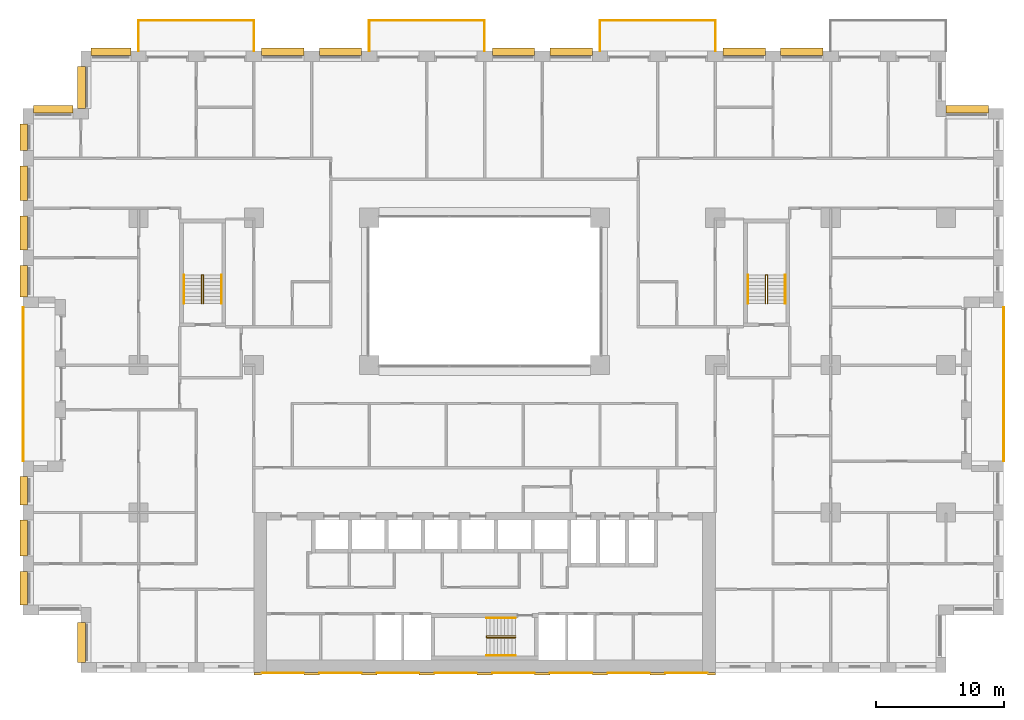
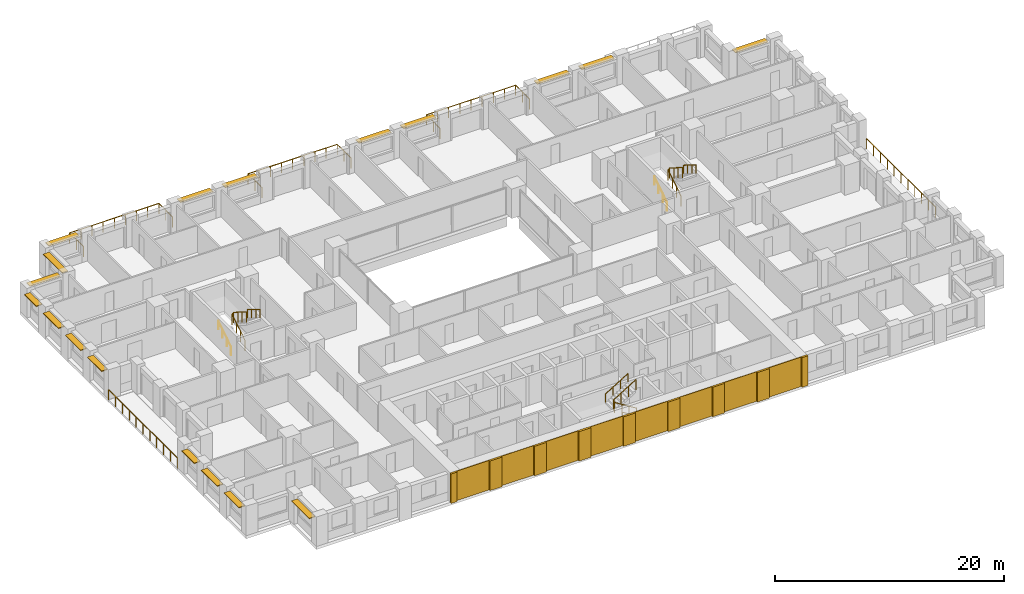
# One storey, part 18 of 19: 18 shading devices, 17 coverings, 14 railings.
"""IFC4 building model written with IfcOpenShell, lengths in metres."""

from ifc_helpers import new_model, si_unit, direction, frame, origin, origin_2d, place, context, subcontext, project, spatial, rectangle, circle, extrude, material, layer, layer_set, type_object, element, save


model = new_model("IFC4")

# Units and contexts
model_context = context("Model", 3, precision=1e-05, world=origin(), true_north=direction((0.0, 1.0)))
body_context = subcontext(model_context, "Body", "Model", "MODEL_VIEW")
ifc_project = project(units=[si_unit("LENGTHUNIT", "METRE"), si_unit("AREAUNIT", "SQUARE_METRE"), si_unit("VOLUMEUNIT", "CUBIC_METRE"), si_unit("PLANEANGLEUNIT", "RADIAN"), si_unit("MASSUNIT", "GRAM", prefix="KILO")], contexts=[model_context])

# Site, building, storey
site_placement = place(None, origin())
site = spatial("IfcSite", under=ifc_project, at=site_placement, CompositionType="ELEMENT")
building_placement = place(site_placement, origin())
building = spatial("IfcBuilding", under=site, at=building_placement, Name="Brigalow Station Residences", CompositionType="ELEMENT")
storey_placement = place(building_placement, frame((0.0, 0.0, 19.5)))
storey = spatial("IfcBuildingStorey", under=building, at=storey_placement, Name="L04", CompositionType="ELEMENT", Elevation=19.5)

# Railings
ifc_material_1 = material(Name="Stainless steel balustrade with laminated glass infill", Category="steel")
railing_type_1 = type_object("IfcRailingType", Name="BALCONY GUARD 1100", PredefinedType="GUARDRAIL", material=ifc_material_1)
railing_1_placement = place(storey_placement, frame((76.5, 16.5, -0.0400390625)))
element("IfcRailing", 1, at=railing_1_placement, inside=storey, type_object=railing_type_1, Name="L04/balcony-guard/1", PredefinedType="GUARDRAIL", context=body_context, shape_type="SweptSolid", body=[
    extrude(circle(Radius=0.02392578125, at=origin_2d()), frame((0.0, 0.0, 1.076171875), z_axis=(0.0, 1.0, 0.0), x_axis=(-1.0, 0.0, 0.0)), (0.0, 0.0, 1.0), 12.0),
    extrude(circle(Radius=0.02099609375, at=origin_2d()), origin(), (0.0, 0.0, 1.0), 1.052001953125),
    extrude(circle(Radius=0.02099609375, at=origin_2d()), frame((0.0, 1.199951171875, 0.0)), (0.0, 0.0, 1.0), 1.052001953125),
    extrude(circle(Radius=0.02099609375, at=origin_2d()), frame((0.0, 2.39990234375, 0.0)), (0.0, 0.0, 1.0), 1.052001953125),
    extrude(circle(Radius=0.02099609375, at=origin_2d()), frame((0.0, 3.60009765625, 0.0)), (0.0, 0.0, 1.0), 1.052001953125),
    extrude(circle(Radius=0.02099609375, at=origin_2d()), frame((0.0, 4.800048828125, 0.0)), (0.0, 0.0, 1.0), 1.052001953125),
    extrude(circle(Radius=0.02099609375, at=origin_2d()), frame((0.0, 6.0, 0.0)), (0.0, 0.0, 1.0), 1.052001953125),
    extrude(circle(Radius=0.02099609375, at=origin_2d()), frame((0.0, 7.199951171875, 0.0)), (0.0, 0.0, 1.0), 1.052001953125),
    extrude(circle(Radius=0.02099609375, at=origin_2d()), frame((0.0, 8.39990234375, 0.0)), (0.0, 0.0, 1.0), 1.052001953125),
    extrude(circle(Radius=0.02099609375, at=origin_2d()), frame((0.0, 9.60009765625, 0.0)), (0.0, 0.0, 1.0), 1.052001953125),
    extrude(circle(Radius=0.02099609375, at=origin_2d()), frame((0.0, 10.800048828125, 0.0)), (0.0, 0.0, 1.0), 1.052001953125),
    extrude(circle(Radius=0.02099609375, at=origin_2d()), frame((0.0, 12.0, 0.0)), (0.0, 0.0, 1.0), 1.052001953125),
])
railing_2_placement = place(storey_placement, frame((54.0, 48.5, -0.0400390625)))
element("IfcRailing", 2, at=railing_2_placement, inside=storey, type_object=railing_type_1, Name="L04/balcony-guard/3", PredefinedType="GUARDRAIL", context=body_context, shape_type="SweptSolid", body=[
    extrude(circle(Radius=0.02392578125, at=origin_2d()), frame((0.0, 0.0, 1.076171875), z_axis=(0.0, 1.0, 0.0), x_axis=(-1.0, 0.0, 0.0)), (0.0, 0.0, 1.0), 2.39990234375),
    extrude(circle(Radius=0.02392578125, at=origin_2d()), frame((0.0, 2.39990234375, 1.076171875), z_axis=(-1.0, 0.0, 0.0), x_axis=(0.0, -1.0, 0.0)), (0.0, 0.0, 1.0), 9.0),
    extrude(circle(Radius=0.02392578125, at=origin_2d()), frame((-9.0, 2.39990234375, 1.076171875), z_axis=(0.0, -1.0, 0.0), x_axis=(1.0, 0.0, 0.0)), (0.0, 0.0, 1.0), 2.39990234375),
    extrude(circle(Radius=0.02099609375, at=origin_2d()), origin(), (0.0, 0.0, 1.0), 1.052001953125),
    extrude(circle(Radius=0.02099609375, at=origin_2d()), frame((0.0, 1.199951171875, 0.0)), (0.0, 0.0, 1.0), 1.052001953125),
    extrude(circle(Radius=0.02099609375, at=origin_2d()), frame((0.0, 2.39990234375, 0.0)), (0.0, 0.0, 1.0), 1.052001953125),
    extrude(circle(Radius=0.02099609375, at=origin_2d()), frame((-1.125, 2.39990234375, 0.0)), (0.0, 0.0, 1.0), 1.052001953125),
    extrude(circle(Radius=0.02099609375, at=origin_2d()), frame((-2.25, 2.39990234375, 0.0)), (0.0, 0.0, 1.0), 1.052001953125),
    extrude(circle(Radius=0.02099609375, at=origin_2d()), frame((-3.375, 2.39990234375, 0.0)), (0.0, 0.0, 1.0), 1.052001953125),
    extrude(circle(Radius=0.02099609375, at=origin_2d()), frame((-4.5, 2.39990234375, 0.0)), (0.0, 0.0, 1.0), 1.052001953125),
    extrude(circle(Radius=0.02099609375, at=origin_2d()), frame((-5.625, 2.39990234375, 0.0)), (0.0, 0.0, 1.0), 1.052001953125),
    extrude(circle(Radius=0.02099609375, at=origin_2d()), frame((-6.75, 2.39990234375, 0.0)), (0.0, 0.0, 1.0), 1.052001953125),
    extrude(circle(Radius=0.02099609375, at=origin_2d()), frame((-7.875, 2.39990234375, 0.0)), (0.0, 0.0, 1.0), 1.052001953125),
    extrude(circle(Radius=0.02099609375, at=origin_2d()), frame((-9.0, 2.39990234375, 0.0)), (0.0, 0.0, 1.0), 1.052001953125),
    extrude(circle(Radius=0.02099609375, at=origin_2d()), frame((-9.0, 1.199951171875, 0.0)), (0.0, 0.0, 1.0), 1.052001953125),
    extrude(circle(Radius=0.02099609375, at=origin_2d()), frame((-9.0, 0.0, 0.0)), (0.0, 0.0, 1.0), 1.052001953125),
])
railing_3_placement = place(storey_placement, frame((36.0, 48.5, -0.0400390625)))
element("IfcRailing", 3, at=railing_3_placement, inside=storey, type_object=railing_type_1, Name="L04/balcony-guard/4", PredefinedType="GUARDRAIL", context=body_context, shape_type="SweptSolid", body=[
    extrude(circle(Radius=0.02392578125, at=origin_2d()), frame((0.0, 0.0, 1.076171875), z_axis=(0.0, 1.0, 0.0), x_axis=(-1.0, 0.0, 0.0)), (0.0, 0.0, 1.0), 2.39990234375),
    extrude(circle(Radius=0.02392578125, at=origin_2d()), frame((0.0, 2.39990234375, 1.076171875), z_axis=(-1.0, 0.0, 0.0), x_axis=(0.0, -1.0, 0.0)), (0.0, 0.0, 1.0), 9.0),
    extrude(circle(Radius=0.02392578125, at=origin_2d()), frame((-9.0, 2.39990234375, 1.076171875), z_axis=(0.0, -1.0, 0.0), x_axis=(1.0, 0.0, 0.0)), (0.0, 0.0, 1.0), 2.39990234375),
    extrude(circle(Radius=0.02099609375, at=origin_2d()), origin(), (0.0, 0.0, 1.0), 1.052001953125),
    extrude(circle(Radius=0.02099609375, at=origin_2d()), frame((0.0, 1.199951171875, 0.0)), (0.0, 0.0, 1.0), 1.052001953125),
    extrude(circle(Radius=0.02099609375, at=origin_2d()), frame((0.0, 2.39990234375, 0.0)), (0.0, 0.0, 1.0), 1.052001953125),
    extrude(circle(Radius=0.02099609375, at=origin_2d()), frame((-1.125, 2.39990234375, 0.0)), (0.0, 0.0, 1.0), 1.052001953125),
    extrude(circle(Radius=0.02099609375, at=origin_2d()), frame((-2.25, 2.39990234375, 0.0)), (0.0, 0.0, 1.0), 1.052001953125),
    extrude(circle(Radius=0.02099609375, at=origin_2d()), frame((-3.375, 2.39990234375, 0.0)), (0.0, 0.0, 1.0), 1.052001953125),
    extrude(circle(Radius=0.02099609375, at=origin_2d()), frame((-4.5, 2.39990234375, 0.0)), (0.0, 0.0, 1.0), 1.052001953125),
    extrude(circle(Radius=0.02099609375, at=origin_2d()), frame((-5.625, 2.39990234375, 0.0)), (0.0, 0.0, 1.0), 1.052001953125),
    extrude(circle(Radius=0.02099609375, at=origin_2d()), frame((-6.75, 2.39990234375, 0.0)), (0.0, 0.0, 1.0), 1.052001953125),
    extrude(circle(Radius=0.02099609375, at=origin_2d()), frame((-7.875, 2.39990234375, 0.0)), (0.0, 0.0, 1.0), 1.052001953125),
    extrude(circle(Radius=0.02099609375, at=origin_2d()), frame((-9.0, 2.39990234375, 0.0)), (0.0, 0.0, 1.0), 1.052001953125),
    extrude(circle(Radius=0.02099609375, at=origin_2d()), frame((-9.0, 1.199951171875, 0.0)), (0.0, 0.0, 1.0), 1.052001953125),
    extrude(circle(Radius=0.02099609375, at=origin_2d()), frame((-9.0, 0.0, 0.0)), (0.0, 0.0, 1.0), 1.052001953125),
])
railing_4_placement = place(storey_placement, frame((18.0, 48.5, -0.0400390625)))
element("IfcRailing", 4, at=railing_4_placement, inside=storey, type_object=railing_type_1, Name="L04/balcony-guard/5", PredefinedType="GUARDRAIL", context=body_context, shape_type="SweptSolid", body=[
    extrude(circle(Radius=0.02392578125, at=origin_2d()), frame((0.0, 0.0, 1.076171875), z_axis=(0.0, 1.0, 0.0), x_axis=(-1.0, 0.0, 0.0)), (0.0, 0.0, 1.0), 2.39990234375),
    extrude(circle(Radius=0.02392578125, at=origin_2d()), frame((0.0, 2.39990234375, 1.076171875), z_axis=(-1.0, 0.0, 0.0), x_axis=(0.0, -1.0, 0.0)), (0.0, 0.0, 1.0), 9.0),
    extrude(circle(Radius=0.02392578125, at=origin_2d()), frame((-9.0, 2.39990234375, 1.076171875), z_axis=(0.0, -1.0, 0.0), x_axis=(1.0, 0.0, 0.0)), (0.0, 0.0, 1.0), 2.39990234375),
    extrude(circle(Radius=0.02099609375, at=origin_2d()), origin(), (0.0, 0.0, 1.0), 1.052001953125),
    extrude(circle(Radius=0.02099609375, at=origin_2d()), frame((0.0, 1.199951171875, 0.0)), (0.0, 0.0, 1.0), 1.052001953125),
    extrude(circle(Radius=0.02099609375, at=origin_2d()), frame((0.0, 2.39990234375, 0.0)), (0.0, 0.0, 1.0), 1.052001953125),
    extrude(circle(Radius=0.02099609375, at=origin_2d()), frame((-1.125, 2.39990234375, 0.0)), (0.0, 0.0, 1.0), 1.052001953125),
    extrude(circle(Radius=0.02099609375, at=origin_2d()), frame((-2.25, 2.39990234375, 0.0)), (0.0, 0.0, 1.0), 1.052001953125),
    extrude(circle(Radius=0.02099609375, at=origin_2d()), frame((-3.375, 2.39990234375, 0.0)), (0.0, 0.0, 1.0), 1.052001953125),
    extrude(circle(Radius=0.02099609375, at=origin_2d()), frame((-4.5, 2.39990234375, 0.0)), (0.0, 0.0, 1.0), 1.052001953125),
    extrude(circle(Radius=0.02099609375, at=origin_2d()), frame((-5.625, 2.39990234375, 0.0)), (0.0, 0.0, 1.0), 1.052001953125),
    extrude(circle(Radius=0.02099609375, at=origin_2d()), frame((-6.75, 2.39990234375, 0.0)), (0.0, 0.0, 1.0), 1.052001953125),
    extrude(circle(Radius=0.02099609375, at=origin_2d()), frame((-7.875, 2.39990234375, 0.0)), (0.0, 0.0, 1.0), 1.052001953125),
    extrude(circle(Radius=0.02099609375, at=origin_2d()), frame((-9.0, 2.39990234375, 0.0)), (0.0, 0.0, 1.0), 1.052001953125),
    extrude(circle(Radius=0.02099609375, at=origin_2d()), frame((-9.0, 1.199951171875, 0.0)), (0.0, 0.0, 1.0), 1.052001953125),
    extrude(circle(Radius=0.02099609375, at=origin_2d()), frame((-9.0, 0.0, 0.0)), (0.0, 0.0, 1.0), 1.052001953125),
])
railing_5_placement = place(storey_placement, frame((0.0, 28.5, -0.0400390625)))
element("IfcRailing", 5, at=railing_5_placement, inside=storey, type_object=railing_type_1, Name="L04/balcony-guard/6", PredefinedType="GUARDRAIL", context=body_context, shape_type="SweptSolid", body=[
    extrude(circle(Radius=0.02392578125, at=origin_2d()), frame((0.0, 0.0, 1.076171875), z_axis=(0.0, -1.0, 0.0), x_axis=(1.0, 0.0, 0.0)), (0.0, 0.0, 1.0), 12.0),
    extrude(circle(Radius=0.02099609375, at=origin_2d()), origin(), (0.0, 0.0, 1.0), 1.052001953125),
    extrude(circle(Radius=0.02099609375, at=origin_2d()), frame((0.0, -1.199951171875, 0.0)), (0.0, 0.0, 1.0), 1.052001953125),
    extrude(circle(Radius=0.02099609375, at=origin_2d()), frame((0.0, -2.39990234375, 0.0)), (0.0, 0.0, 1.0), 1.052001953125),
    extrude(circle(Radius=0.02099609375, at=origin_2d()), frame((0.0, -3.60009765625, 0.0)), (0.0, 0.0, 1.0), 1.052001953125),
    extrude(circle(Radius=0.02099609375, at=origin_2d()), frame((0.0, -4.800048828125, 0.0)), (0.0, 0.0, 1.0), 1.052001953125),
    extrude(circle(Radius=0.02099609375, at=origin_2d()), frame((0.0, -6.0, 0.0)), (0.0, 0.0, 1.0), 1.052001953125),
    extrude(circle(Radius=0.02099609375, at=origin_2d()), frame((0.0, -7.199951171875, 0.0)), (0.0, 0.0, 1.0), 1.052001953125),
    extrude(circle(Radius=0.02099609375, at=origin_2d()), frame((0.0, -8.39990234375, 0.0)), (0.0, 0.0, 1.0), 1.052001953125),
    extrude(circle(Radius=0.02099609375, at=origin_2d()), frame((0.0, -9.60009765625, 0.0)), (0.0, 0.0, 1.0), 1.052001953125),
    extrude(circle(Radius=0.02099609375, at=origin_2d()), frame((0.0, -10.800048828125, 0.0)), (0.0, 0.0, 1.0), 1.052001953125),
    extrude(circle(Radius=0.02099609375, at=origin_2d()), frame((0.0, -12.0, 0.0)), (0.0, 0.0, 1.0), 1.052001953125),
])

# Coverings
ifc_material_2 = material(Name="Clay brick masonry", Category="masonry")
ifc_layer_1 = layer(ifc_material_2, 0.06005859375)
ifc_layer_set_1 = layer_set([ifc_layer_1], Name="BRICK PANEL FACING 60")
covering_type_1 = type_object("IfcCoveringType", Name="BRICK PANEL FACING 60", PredefinedType="CLADDING", material=ifc_layer_set_1)
for number, where, z_axis, x_axis, name in (
    (6, (20.25, -0.030029296875, 0.0), (0.0, 0.0, 1.0), (1.0, 0.0, 0.0), "L04/rear-facing/panel-1"),
    (7, (24.75, -0.030029296875, 0.0), (0.0, 0.0, 1.0), (1.0, 0.0, 0.0), "L04/rear-facing/panel-2"),
    (8, (29.25, -0.030029296875, 0.0), (0.0, 0.0, 1.0), (1.0, 0.0, 0.0), "L04/rear-facing/panel-3"),
    (9, (33.75, -0.030029296875, 0.0), (0.0, 0.0, 1.0), (1.0, 0.0, 0.0), "L04/rear-facing/panel-4"),
    (10, (38.25, -0.030029296875, 0.0), (0.0, 0.0, 1.0), (1.0, 0.0, 0.0), "L04/rear-facing/panel-5"),
    (11, (42.75, -0.030029296875, 0.0), (0.0, 0.0, 1.0), (1.0, 0.0, 0.0), "L04/rear-facing/panel-6"),
    (12, (47.25, -0.030029296875, 0.0), (0.0, 0.0, 1.0), (1.0, 0.0, 0.0), "L04/rear-facing/panel-7"),
    (13, (51.75, -0.030029296875, 0.0), (0.0, 0.0, 1.0), (1.0, 0.0, 0.0), "L04/rear-facing/panel-8"),
):
    element("IfcCovering", number, at=place(storey_placement, frame(where, z_axis=z_axis, x_axis=x_axis)), inside=storey, type_object=covering_type_1, Name=name, PredefinedType="CLADDING", context=body_context, shape_type="SweptSolid", body=[
        extrude(rectangle(XDim=3.300048828125, YDim=0.06005859375, at=origin_2d()), origin(), (0.0, 0.0, 1.0), 3.14990234375),
    ])
ifc_material_3 = material(Name="Clay brick masonry", Category="masonry")
ifc_layer_2 = layer(ifc_material_3, 0.199951171875)
ifc_layer_set_2 = layer_set([ifc_layer_2], Name="BRICK PIER FACING 200")
covering_type_2 = type_object("IfcCoveringType", Name="BRICK PIER FACING 200", PredefinedType="CLADDING", material=ifc_layer_set_2)
covering_1_placement = place(storey_placement, frame((18.300048828125, -0.10009765625, 0.0), z_axis=(0.0, 0.0, 1.0), x_axis=(1.0, 0.0, 0.0)))
element("IfcCovering", 14, at=covering_1_placement, inside=storey, type_object=covering_type_2, Name="L04/rear-facing/pier-1", PredefinedType="CLADDING", context=body_context, shape_type="SweptSolid", body=[
    extrude(rectangle(XDim=0.60009765625, YDim=0.199951171875, at=origin_2d()), origin(), (0.0, 0.0, 1.0), 3.14990234375),
])
for number, where, z_axis, x_axis, name in (
    (15, (22.5, -0.10009765625, 0.0), (0.0, 0.0, 1.0), (1.0, 0.0, 0.0), "L04/rear-facing/pier-2"),
    (16, (27.0, -0.10009765625, 0.0), (0.0, 0.0, 1.0), (1.0, 0.0, 0.0), "L04/rear-facing/pier-3"),
    (17, (31.5, -0.10009765625, 0.0), (0.0, 0.0, 1.0), (1.0, 0.0, 0.0), "L04/rear-facing/pier-4"),
    (18, (36.0, -0.10009765625, 0.0), (0.0, 0.0, 1.0), (1.0, 0.0, 0.0), "L04/rear-facing/pier-5"),
    (19, (40.5, -0.10009765625, 0.0), (0.0, 0.0, 1.0), (1.0, 0.0, 0.0), "L04/rear-facing/pier-6"),
    (20, (45.0, -0.10009765625, 0.0), (0.0, 0.0, 1.0), (1.0, 0.0, 0.0), "L04/rear-facing/pier-7"),
    (21, (49.5, -0.10009765625, 0.0), (0.0, 0.0, 1.0), (1.0, 0.0, 0.0), "L04/rear-facing/pier-8"),
):
    element("IfcCovering", number, at=place(storey_placement, frame(where, z_axis=z_axis, x_axis=x_axis)), inside=storey, type_object=covering_type_2, Name=name, PredefinedType="CLADDING", context=body_context, shape_type="SweptSolid", body=[
        extrude(rectangle(XDim=1.199951171875, YDim=0.199951171875, at=origin_2d()), origin(), (0.0, 0.0, 1.0), 3.14990234375),
    ])
covering_2_placement = place(storey_placement, frame((53.699951171875, -0.10009765625, 0.0), z_axis=(0.0, 0.0, 1.0), x_axis=(1.0, 0.0, 0.0)))
element("IfcCovering", 22, at=covering_2_placement, inside=storey, type_object=covering_type_2, Name="L04/rear-facing/pier-9", PredefinedType="CLADDING", context=body_context, shape_type="SweptSolid", body=[
    extrude(rectangle(XDim=0.60009765625, YDim=0.199951171875, at=origin_2d()), origin(), (0.0, 0.0, 1.0), 3.14990234375),
])

# Railings
ifc_material_4 = material(Name="Stainless steel balustrade", Category="steel")
railing_type_2 = type_object("IfcRailingType", Name="STAIR GUARD 1100", PredefinedType="GUARDRAIL", material=ifc_material_4)
railing_6_placement = place(storey_placement, frame((38.39990234375, 2.72998046875, 0.175048828125)))
element("IfcRailing", 23, at=railing_6_placement, inside=storey, type_object=railing_type_2, Name="GUARD GR-2", PredefinedType="GUARDRAIL", context=body_context, shape_type="SweptSolid", body=[
    extrude(circle(Radius=0.02392578125, at=origin_2d()), frame((0.0, 0.0, 1.076171875), z_axis=(-0.848013881152, 0.0, 0.529974015752), x_axis=(0.0, -1.0, 0.0)), (0.0, 0.0, 1.0), 2.641357421875),
    extrude(circle(Radius=0.02392578125, at=origin_2d()), frame((-2.239990234375, 0.0, 2.47607421875), z_axis=(0.0, 0.624960567888, 0.780656319122), x_axis=(-1.0, 0.0, 0.0)), (0.0, 0.0, 1.0), 0.22412109375),
    extrude(circle(Radius=0.02392578125, at=origin_2d()), frame((-2.239990234375, 0.14013671875, 2.65087890625), z_axis=(0.848013881152, 0.0, 0.529974015752), x_axis=(0.0, 1.0, 0.0)), (0.0, 0.0, 1.0), 2.641357421875),
    extrude(circle(Radius=0.02099609375, at=origin_2d()), origin(), (0.0, 0.0, 1.0), 1.052001953125),
    extrude(circle(Radius=0.02099609375, at=origin_2d()), frame((-0.74658203125, 0.0, 0.466552734375)), (0.0, 0.0, 1.0), 1.052001953125),
    extrude(circle(Radius=0.02099609375, at=origin_2d()), frame((-1.493408203125, 0.0, 0.933349609375)), (0.0, 0.0, 1.0), 1.052001953125),
    extrude(circle(Radius=0.02099609375, at=origin_2d()), frame((-2.239990234375, 0.0, 1.39990234375)), (0.0, 0.0, 1.0), 1.052001953125),
    extrude(circle(Radius=0.02099609375, at=origin_2d()), frame((-2.239990234375, 0.14013671875, 1.574951171875)), (0.0, 0.0, 1.0), 1.052001953125),
    extrude(circle(Radius=0.02099609375, at=origin_2d()), frame((-1.493408203125, 0.14013671875, 2.04150390625)), (0.0, 0.0, 1.0), 1.052001953125),
    extrude(circle(Radius=0.02099609375, at=origin_2d()), frame((-0.74658203125, 0.14013671875, 2.50830078125)), (0.0, 0.0, 1.0), 1.052001953125),
    extrude(circle(Radius=0.02099609375, at=origin_2d()), frame((0.0, 0.14013671875, 2.974853515625)), (0.0, 0.0, 1.0), 1.052001953125),
])
for number, where, name in (
    (24, (13.929931640625, 28.800048828125, 0.175048828125), "GUARD GR-1"),
    (25, (57.929931640625, 28.800048828125, 0.175048828125), "GUARD GR-3"),
):
    element("IfcRailing", number, at=place(storey_placement, frame(where)), inside=storey, type_object=railing_type_2, Name=name, PredefinedType="GUARDRAIL", context=body_context, shape_type="SweptSolid", body=[
        extrude(circle(Radius=0.02392578125, at=origin_2d()), frame((0.0, 0.0, 1.076171875), z_axis=(0.0, 0.848013881152, 0.529974015752), x_axis=(-1.0, 0.0, 0.0)), (0.0, 0.0, 1.0), 2.641357421875),
        extrude(circle(Radius=0.02392578125, at=origin_2d()), frame((0.0, 2.239990234375, 2.47607421875), z_axis=(0.624960567888, 0.0, 0.780656319122), x_axis=(0.0, 1.0, 0.0)), (0.0, 0.0, 1.0), 0.22412109375),
        extrude(circle(Radius=0.02392578125, at=origin_2d()), frame((0.14013671875, 2.239990234375, 2.65087890625), z_axis=(0.0, -0.848013881152, 0.529974015752), x_axis=(1.0, 0.0, 0.0)), (0.0, 0.0, 1.0), 2.641357421875),
        extrude(circle(Radius=0.02099609375, at=origin_2d()), origin(), (0.0, 0.0, 1.0), 1.052001953125),
        extrude(circle(Radius=0.02099609375, at=origin_2d()), frame((0.0, 0.74658203125, 0.466552734375)), (0.0, 0.0, 1.0), 1.052001953125),
        extrude(circle(Radius=0.02099609375, at=origin_2d()), frame((0.0, 1.493408203125, 0.933349609375)), (0.0, 0.0, 1.0), 1.052001953125),
        extrude(circle(Radius=0.02099609375, at=origin_2d()), frame((0.0, 2.239990234375, 1.39990234375)), (0.0, 0.0, 1.0), 1.052001953125),
        extrude(circle(Radius=0.02099609375, at=origin_2d()), frame((0.14013671875, 2.239990234375, 1.574951171875)), (0.0, 0.0, 1.0), 1.052001953125),
        extrude(circle(Radius=0.02099609375, at=origin_2d()), frame((0.14013671875, 1.493408203125, 2.04150390625)), (0.0, 0.0, 1.0), 1.052001953125),
        extrude(circle(Radius=0.02099609375, at=origin_2d()), frame((0.14013671875, 0.74658203125, 2.50830078125)), (0.0, 0.0, 1.0), 1.052001953125),
        extrude(circle(Radius=0.02099609375, at=origin_2d()), frame((0.14013671875, 0.0, 2.974853515625)), (0.0, 0.0, 1.0), 1.052001953125),
    ])
ifc_material_5 = material(Name="Stainless steel handrail", Category="steel")
railing_type_3 = type_object("IfcRailingType", Name="STAIR HANDRAIL 900", PredefinedType="HANDRAIL", material=ifc_material_5)
railing_7_placement = place(storey_placement, frame((38.39990234375, 1.340087890625, 0.175048828125)))
element("IfcRailing", 26, at=railing_7_placement, inside=storey, type_object=railing_type_3, Name="HANDRAIL HR-21", PredefinedType="HANDRAIL", context=body_context, shape_type="SweptSolid", body=[
    extrude(circle(Radius=0.02392578125, at=origin_2d()), frame((0.0, 0.0, 0.8759765625), z_axis=(-0.848013881152, 0.0, 0.529974015752), x_axis=(0.0, -1.0, 0.0)), (0.0, 0.0, 1.0), 2.641357421875),
    extrude(circle(Radius=0.02099609375, at=origin_2d()), origin(), (0.0, 0.0, 1.0), 0.851806640625),
    extrude(circle(Radius=0.02099609375, at=origin_2d()), frame((-0.74658203125, 0.0, 0.466552734375)), (0.0, 0.0, 1.0), 0.851806640625),
    extrude(circle(Radius=0.02099609375, at=origin_2d()), frame((-1.493408203125, 0.0, 0.933349609375)), (0.0, 0.0, 1.0), 0.851806640625),
    extrude(circle(Radius=0.02099609375, at=origin_2d()), frame((-2.239990234375, 0.0, 1.39990234375)), (0.0, 0.0, 1.0), 0.851806640625),
])
railing_8_placement = place(storey_placement, frame((36.159912109375, 4.260009765625, 1.75)))
element("IfcRailing", 27, at=railing_8_placement, inside=storey, type_object=railing_type_3, Name="HANDRAIL HR-22", PredefinedType="HANDRAIL", context=body_context, shape_type="SweptSolid", body=[
    extrude(circle(Radius=0.02392578125, at=origin_2d()), frame((0.0, 0.0, 0.8759765625), z_axis=(0.848013881152, 0.0, 0.529974015752), x_axis=(0.0, 1.0, 0.0)), (0.0, 0.0, 1.0), 2.641357421875),
    extrude(circle(Radius=0.02099609375, at=origin_2d()), origin(), (0.0, 0.0, 1.0), 0.851806640625),
    extrude(circle(Radius=0.02099609375, at=origin_2d()), frame((0.74658203125, 0.0, 0.466552734375)), (0.0, 0.0, 1.0), 0.851806640625),
    extrude(circle(Radius=0.02099609375, at=origin_2d()), frame((1.493408203125, 0.0, 0.933349609375)), (0.0, 0.0, 1.0), 0.851806640625),
    extrude(circle(Radius=0.02099609375, at=origin_2d()), frame((2.239990234375, 0.0, 1.39990234375)), (0.0, 0.0, 1.0), 0.851806640625),
])
railing_9_placement = place(storey_placement, frame((12.5400390625, 28.800048828125, 0.175048828125)))
element("IfcRailing", 28, at=railing_9_placement, inside=storey, type_object=railing_type_3, Name="HANDRAIL HR-11", PredefinedType="HANDRAIL", context=body_context, shape_type="SweptSolid", body=[
    extrude(circle(Radius=0.02392578125, at=origin_2d()), frame((0.0, 0.0, 0.8759765625), z_axis=(0.0, 0.848013881152, 0.529974015752), x_axis=(-1.0, 0.0, 0.0)), (0.0, 0.0, 1.0), 2.641357421875),
    extrude(circle(Radius=0.02099609375, at=origin_2d()), origin(), (0.0, 0.0, 1.0), 0.851806640625),
    extrude(circle(Radius=0.02099609375, at=origin_2d()), frame((0.0, 0.74658203125, 0.466552734375)), (0.0, 0.0, 1.0), 0.851806640625),
    extrude(circle(Radius=0.02099609375, at=origin_2d()), frame((0.0, 1.493408203125, 0.933349609375)), (0.0, 0.0, 1.0), 0.851806640625),
    extrude(circle(Radius=0.02099609375, at=origin_2d()), frame((0.0, 2.239990234375, 1.39990234375)), (0.0, 0.0, 1.0), 0.851806640625),
])
railing_10_placement = place(storey_placement, frame((15.4599609375, 31.0400390625, 1.75)))
element("IfcRailing", 29, at=railing_10_placement, inside=storey, type_object=railing_type_3, Name="HANDRAIL HR-12", PredefinedType="HANDRAIL", context=body_context, shape_type="SweptSolid", body=[
    extrude(circle(Radius=0.02392578125, at=origin_2d()), frame((0.0, 0.0, 0.8759765625), z_axis=(0.0, -0.848013881152, 0.529974015752), x_axis=(1.0, 0.0, 0.0)), (0.0, 0.0, 1.0), 2.641357421875),
    extrude(circle(Radius=0.02099609375, at=origin_2d()), origin(), (0.0, 0.0, 1.0), 0.851806640625),
    extrude(circle(Radius=0.02099609375, at=origin_2d()), frame((0.0, -0.74658203125, 0.466552734375)), (0.0, 0.0, 1.0), 0.851806640625),
    extrude(circle(Radius=0.02099609375, at=origin_2d()), frame((0.0, -1.493408203125, 0.933349609375)), (0.0, 0.0, 1.0), 0.851806640625),
    extrude(circle(Radius=0.02099609375, at=origin_2d()), frame((0.0, -2.239990234375, 1.39990234375)), (0.0, 0.0, 1.0), 0.851806640625),
])
railing_11_placement = place(storey_placement, frame((56.5400390625, 28.800048828125, 0.175048828125)))
element("IfcRailing", 30, at=railing_11_placement, inside=storey, type_object=railing_type_3, Name="HANDRAIL HR-31", PredefinedType="HANDRAIL", context=body_context, shape_type="SweptSolid", body=[
    extrude(circle(Radius=0.02392578125, at=origin_2d()), frame((0.0, 0.0, 0.8759765625), z_axis=(0.0, 0.848013881152, 0.529974015752), x_axis=(-1.0, 0.0, 0.0)), (0.0, 0.0, 1.0), 2.641357421875),
    extrude(circle(Radius=0.02099609375, at=origin_2d()), origin(), (0.0, 0.0, 1.0), 0.851806640625),
    extrude(circle(Radius=0.02099609375, at=origin_2d()), frame((0.0, 0.74658203125, 0.466552734375)), (0.0, 0.0, 1.0), 0.851806640625),
    extrude(circle(Radius=0.02099609375, at=origin_2d()), frame((0.0, 1.493408203125, 0.933349609375)), (0.0, 0.0, 1.0), 0.851806640625),
    extrude(circle(Radius=0.02099609375, at=origin_2d()), frame((0.0, 2.239990234375, 1.39990234375)), (0.0, 0.0, 1.0), 0.851806640625),
])
railing_12_placement = place(storey_placement, frame((59.4599609375, 31.0400390625, 1.75)))
element("IfcRailing", 31, at=railing_12_placement, inside=storey, type_object=railing_type_3, Name="HANDRAIL HR-32", PredefinedType="HANDRAIL", context=body_context, shape_type="SweptSolid", body=[
    extrude(circle(Radius=0.02392578125, at=origin_2d()), frame((0.0, 0.0, 0.8759765625), z_axis=(0.0, -0.848013881152, 0.529974015752), x_axis=(1.0, 0.0, 0.0)), (0.0, 0.0, 1.0), 2.641357421875),
    extrude(circle(Radius=0.02099609375, at=origin_2d()), origin(), (0.0, 0.0, 1.0), 0.851806640625),
    extrude(circle(Radius=0.02099609375, at=origin_2d()), frame((0.0, -0.74658203125, 0.466552734375)), (0.0, 0.0, 1.0), 0.851806640625),
    extrude(circle(Radius=0.02099609375, at=origin_2d()), frame((0.0, -1.493408203125, 0.933349609375)), (0.0, 0.0, 1.0), 0.851806640625),
    extrude(circle(Radius=0.02099609375, at=origin_2d()), frame((0.0, -2.239990234375, 1.39990234375)), (0.0, 0.0, 1.0), 0.851806640625),
])

# Shading devices
ifc_material_6 = material(Name="Powder-coated extruded aluminium blade", Category="aluminium")
ifc_layer_3 = layer(ifc_material_6, 0.080078125)
ifc_layer_set_3 = layer_set([ifc_layer_3], Name="SUNSHADE BLADE 600x80")
shading_device_type = type_object("IfcShadingDeviceType", Name="SUNSHADE BLADE 600x80", PredefinedType="JALOUSIE", material=ifc_layer_set_3)
for number, where, z_axis, x_axis, name in (
    (32, (73.64990234375, 43.949951171875, 2.550048828125), (0.0, 0.0, 1.0), (-1.0, 0.0, 0.0), "L04/blade/W-L04-23"),
    (33, (60.75, 48.449951171875, 2.550048828125), (0.0, 0.0, 1.0), (-1.0, 0.0, 0.0), "L04/blade/W-L04-27"),
    (34, (56.25, 48.449951171875, 2.550048828125), (0.0, 0.0, 1.0), (-1.0, 0.0, 0.0), "L04/blade/W-L04-28"),
    (35, (42.75, 48.449951171875, 2.550048828125), (0.0, 0.0, 1.0), (-1.0, 0.0, 0.0), "L04/blade/W-L04-31"),
    (36, (38.25, 48.449951171875, 2.550048828125), (0.0, 0.0, 1.0), (-1.0, 0.0, 0.0), "L04/blade/W-L04-32"),
    (37, (24.75, 48.449951171875, 2.550048828125), (0.0, 0.0, 1.0), (-1.0, 0.0, 0.0), "L04/blade/W-L04-35"),
    (38, (20.25, 48.449951171875, 2.550048828125), (0.0, 0.0, 1.0), (-1.0, 0.0, 0.0), "L04/blade/W-L04-36"),
):
    element("IfcShadingDevice", number, at=place(storey_placement, frame(where, z_axis=z_axis, x_axis=x_axis)), inside=storey, type_object=shading_device_type, Name=name, PredefinedType="JALOUSIE", context=body_context, shape_type="SweptSolid", body=[
        extrude(rectangle(XDim=3.300048828125, YDim=0.60009765625, at=origin_2d()), origin(), (0.0, 0.0, 1.0), 0.080078125),
    ])
shading_device_1_placement = place(storey_placement, frame((6.85009765625, 48.449951171875, 2.550048828125), z_axis=(0.0, 0.0, 1.0), x_axis=(-1.0, 0.0, 0.0)))
element("IfcShadingDevice", 39, at=shading_device_1_placement, inside=storey, type_object=shading_device_type, Name="L04/blade/W-L04-39", PredefinedType="JALOUSIE", context=body_context, shape_type="SweptSolid", body=[
    extrude(rectangle(XDim=3.10009765625, YDim=0.60009765625, at=origin_2d()), origin(), (0.0, 0.0, 1.0), 0.080078125),
])
shading_device_2_placement = place(storey_placement, frame((4.550048828125, 45.64990234375, 2.550048828125), z_axis=(0.0, 0.0, 1.0), x_axis=(0.0, -1.0, 0.0)))
element("IfcShadingDevice", 40, at=shading_device_2_placement, inside=storey, type_object=shading_device_type, Name="L04/blade/W-L04-40", PredefinedType="JALOUSIE", context=body_context, shape_type="SweptSolid", body=[
    extrude(rectangle(XDim=3.300048828125, YDim=0.60009765625, at=origin_2d()), origin(), (0.0, 0.0, 1.0), 0.080078125),
])
shading_device_3_placement = place(storey_placement, frame((2.35009765625, 43.949951171875, 2.550048828125), z_axis=(0.0, 0.0, 1.0), x_axis=(-1.0, 0.0, 0.0)))
element("IfcShadingDevice", 41, at=shading_device_3_placement, inside=storey, type_object=shading_device_type, Name="L04/blade/W-L04-41", PredefinedType="JALOUSIE", context=body_context, shape_type="SweptSolid", body=[
    extrude(rectangle(XDim=3.10009765625, YDim=0.60009765625, at=origin_2d()), origin(), (0.0, 0.0, 1.0), 0.080078125),
])
shading_device_4_placement = place(storey_placement, frame((0.050048828125, 41.762451171875, 2.550048828125), z_axis=(0.0, 0.0, 1.0), x_axis=(0.0, -1.0, 0.0)))
element("IfcShadingDevice", 42, at=shading_device_4_placement, inside=storey, type_object=shading_device_type, Name="L04/blade/W-L04-42", PredefinedType="JALOUSIE", context=body_context, shape_type="SweptSolid", body=[
    extrude(rectangle(XDim=2.074951171875, YDim=0.60009765625, at=origin_2d()), origin(), (0.0, 0.0, 1.0), 0.080078125),
])
for number, where, z_axis, x_axis, name in (
    (43, (0.050048828125, 38.1875, 2.550048828125), (0.0, 0.0, 1.0), (0.0, -1.0, 0.0), "L04/blade/W-L04-43"),
    (44, (0.050048828125, 34.3125, 2.550048828125), (0.0, 0.0, 1.0), (0.0, -1.0, 0.0), "L04/blade/W-L04-44"),
):
    element("IfcShadingDevice", number, at=place(storey_placement, frame(where, z_axis=z_axis, x_axis=x_axis)), inside=storey, type_object=shading_device_type, Name=name, PredefinedType="JALOUSIE", context=body_context, shape_type="SweptSolid", body=[
        extrude(rectangle(XDim=2.675048828125, YDim=0.60009765625, at=origin_2d()), origin(), (0.0, 0.0, 1.0), 0.080078125),
    ])
shading_device_5_placement = place(storey_placement, frame((0.050048828125, 30.53759765625, 2.550048828125), z_axis=(0.0, 0.0, 1.0), x_axis=(0.0, -1.0, 0.0)))
element("IfcShadingDevice", 45, at=shading_device_5_placement, inside=storey, type_object=shading_device_type, Name="L04/blade/W-L04-45", PredefinedType="JALOUSIE", context=body_context, shape_type="SweptSolid", body=[
    extrude(rectangle(XDim=2.47509765625, YDim=0.60009765625, at=origin_2d()), origin(), (0.0, 0.0, 1.0), 0.080078125),
])
shading_device_6_placement = place(storey_placement, frame((0.050048828125, 14.199951171875, 2.550048828125), z_axis=(0.0, 0.0, 1.0), x_axis=(0.0, -1.0, 0.0)))
element("IfcShadingDevice", 46, at=shading_device_6_placement, inside=storey, type_object=shading_device_type, Name="L04/blade/W-L04-51", PredefinedType="JALOUSIE", context=body_context, shape_type="SweptSolid", body=[
    extrude(rectangle(XDim=2.199951171875, YDim=0.60009765625, at=origin_2d()), origin(), (0.0, 0.0, 1.0), 0.080078125),
])
shading_device_7_placement = place(storey_placement, frame((0.050048828125, 10.5, 2.550048828125), z_axis=(0.0, 0.0, 1.0), x_axis=(0.0, -1.0, 0.0)))
element("IfcShadingDevice", 47, at=shading_device_7_placement, inside=storey, type_object=shading_device_type, Name="L04/blade/W-L04-52", PredefinedType="JALOUSIE", context=body_context, shape_type="SweptSolid", body=[
    extrude(rectangle(XDim=2.800048828125, YDim=0.60009765625, at=origin_2d()), origin(), (0.0, 0.0, 1.0), 0.080078125),
])
shading_device_8_placement = place(storey_placement, frame((0.050048828125, 6.60009765625, 2.550048828125), z_axis=(0.0, 0.0, 1.0), x_axis=(0.0, -1.0, 0.0)))
element("IfcShadingDevice", 48, at=shading_device_8_placement, inside=storey, type_object=shading_device_type, Name="L04/blade/W-L04-53", PredefinedType="JALOUSIE", context=body_context, shape_type="SweptSolid", body=[
    extrude(rectangle(XDim=2.60009765625, YDim=0.60009765625, at=origin_2d()), origin(), (0.0, 0.0, 1.0), 0.080078125),
])
shading_device_9_placement = place(storey_placement, frame((4.550048828125, 2.35009765625, 2.550048828125), z_axis=(0.0, 0.0, 1.0), x_axis=(0.0, -1.0, 0.0)))
element("IfcShadingDevice", 49, at=shading_device_9_placement, inside=storey, type_object=shading_device_type, Name="L04/blade/W-L04-55", PredefinedType="JALOUSIE", context=body_context, shape_type="SweptSolid", body=[
    extrude(rectangle(XDim=3.10009765625, YDim=0.60009765625, at=origin_2d()), origin(), (0.0, 0.0, 1.0), 0.080078125),
])

save(model, "model.ifc")
